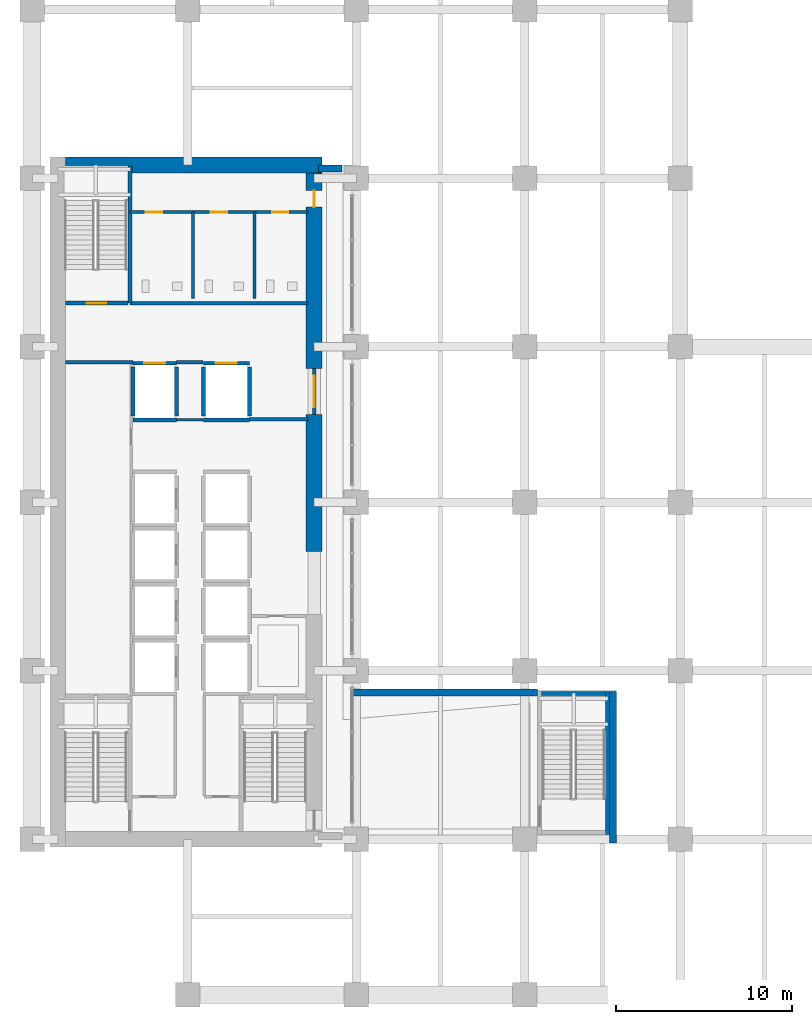
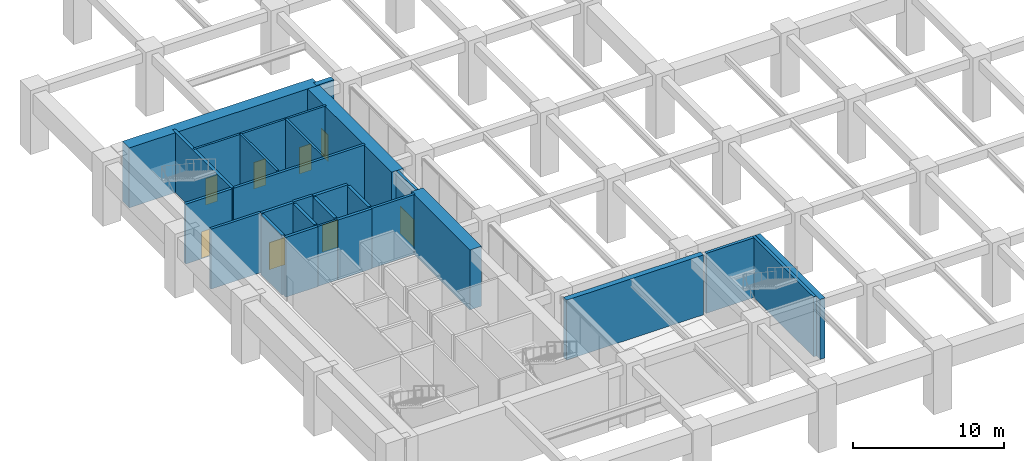
# One storey, part 6 of 22: 27 walls, 8 doors, 8 openings.
"""IFC4 building model written with IfcOpenShell, lengths in metres."""

from ifc_helpers import new_model, si_unit, direction, frame, frame_2d, origin, place, context, subcontext, project, spatial, rectangle, extrude, material, layer, layer_set, type_object, element, fill, save


model = new_model("IFC4")

# Units and contexts
model_context = context("Model", 3, precision=1e-05, world=origin(), true_north=direction((0.0, 1.0)))
body_context = subcontext(model_context, "Body", "Model", "MODEL_VIEW")
ifc_project = project(units=[si_unit("LENGTHUNIT", "METRE"), si_unit("AREAUNIT", "SQUARE_METRE"), si_unit("VOLUMEUNIT", "CUBIC_METRE"), si_unit("PLANEANGLEUNIT", "RADIAN"), si_unit("MASSUNIT", "GRAM", prefix="KILO")], contexts=[model_context])

# Site, building, storey
site_placement = place(None, origin())
site = spatial("IfcSite", under=ifc_project, at=site_placement, CompositionType="ELEMENT")
building_placement = place(site_placement, origin())
building = spatial("IfcBuilding", under=site, at=building_placement, Name="Norrvale University Quadrangle", CompositionType="ELEMENT")
storey_placement = place(building_placement, frame((0.0, 0.0, 5.199951171875)))
storey = spatial("IfcBuildingStorey", under=building, at=storey_placement, Name="L01", CompositionType="ELEMENT", Elevation=5.199951171875)

# Walls
ifc_material_1 = material(Name="Concrete C80/95", Category="concrete")
ifc_layer_1 = layer(ifc_material_1, 0.89990234375, Name="Concrete C80/95")
ifc_layer_set_1 = layer_set([ifc_layer_1], Name="Concrete C80/95")
wall_type_1 = type_object("IfcWallType", Name="Wall Core 900", PredefinedType="SHEAR", material=ifc_layer_set_1)
wall_1_placement = place(storey_placement, frame((2.64990234375, 48.0, 0.0), z_axis=(0.0, 0.0, 1.0), x_axis=(1.0, 0.0, 0.0)))
element("IfcWall", 1, at=wall_1_placement, inside=storey, type_object=wall_type_1, Name="Tower Core Shear Wall L01-N", PredefinedType="SHEAR", context=body_context, shape_type="SweptSolid", body=[
    extrude(rectangle(XDim=14.60009765625, YDim=0.89990234375, at=frame_2d((7.300048828125, 0.0))), origin(), (0.0, 0.0, 1.0), 4.860107421875),
])
wall_2_placement = place(storey_placement, frame((16.800048828125, 26.0, 0.0), z_axis=(0.0, 0.0, 1.0), x_axis=(0.0, 1.0, 0.0)))
element("IfcWall", 2, at=wall_2_placement, inside=storey, type_object=wall_type_1, Name="Tower Core Shear Wall L01-E2", PredefinedType="SHEAR", context=body_context, shape_type="SweptSolid", body=[
    extrude(rectangle(XDim=7.800048828125, YDim=0.89990234375, at=frame_2d((3.89990234375, 0.0))), origin(), (0.0, 0.0, 1.0), 4.860107421875),
])

# Wall, opening, door
wall_3_placement = place(storey_placement, frame((16.800048828125, 36.39990234375, 0.0), z_axis=(0.0, 0.0, 1.0), x_axis=(0.0, 1.0, 0.0)))
wall_3 = element("IfcWall", 3, at=wall_3_placement, inside=storey, type_object=wall_type_1, Name="Tower Core Shear Wall L01-E3", PredefinedType="SHEAR", context=body_context, shape_type="SweptSolid", body=[
    extrude(rectangle(XDim=11.150146484375, YDim=0.89990234375, at=frame_2d((5.5751953125, 0.0))), origin(), (0.0, 0.0, 1.0), 4.860107421875),
])
opening_1_placement = place(wall_3_placement, frame((9.199951171875, 0.0, 0.0)))
opening_1 = element("IfcOpeningElement", 4, at=opening_1_placement, cuts=wall_3, Name="Opening D07", PredefinedType="OPENING", context=body_context, shape_type="SweptSolid", body=[
    extrude(rectangle(XDim=0.949951171875, YDim=2.14990234375, at=frame_2d((0.47509765625, 1.074951171875))), frame((0.0, 0.4619140625, 0.0), z_axis=(0.0, -1.0, 0.0), x_axis=(1.0, 0.0, 0.0)), (0.0, 0.0, 1.0), 0.923828125),
])
ifc_material_2 = material(Name="Solid-Core Maple Door", Category="wood")
door_type_1 = type_object("IfcDoorType", Name="Door Office 950x2150", OperationType="NOTDEFINED", PredefinedType="DOOR", material=ifc_material_2)
door_1_placement = place(opening_1_placement, origin())
door_1 = element("IfcDoor", 5, at=door_1_placement, inside=storey, type_object=door_type_1, Name="Door Office 950x2150 DR-L01-NECORR", OperationType="SINGLE_SWING_RIGHT", OverallHeight=2.14990234375, OverallWidth=0.949951171875, PredefinedType="DOOR", context=body_context, shape_type="SweptSolid", body=[
    extrude(rectangle(XDim=0.949951171875, YDim=2.14990234375, at=frame_2d((0.47509765625, 1.074951171875))), frame((0.0, 0.02490234375, 0.0), z_axis=(0.0, -1.0, 0.0), x_axis=(1.0, 0.0, 0.0)), (0.0, 0.0, 1.0), 0.050048828125),
])
fill(opening_1, door_1)

# Wall
ifc_material_3 = material(Name="Fire-Rated Gypsum Stud Partition")
ifc_layer_2 = layer(ifc_material_3, 0.14990234375, Name="Fire-Rated Gypsum Stud Partition")
ifc_layer_set_2 = layer_set([ifc_layer_2], Name="Fire-Rated Gypsum Stud Partition")
wall_type_2 = type_object("IfcWallType", Name="Wall Gypsum Corridor 150", PredefinedType="PARTITIONING", material=ifc_layer_set_2)
wall_4_placement = place(storey_placement, frame((8.965087890625, 33.489990234375, 0.0), z_axis=(0.0, 0.0, 1.0), x_axis=(1.0, 0.0, 0.0)))
element("IfcWall", 6, at=wall_4_placement, inside=storey, type_object=wall_type_2, Name="Interior Partition WL-L01-LL3", PredefinedType="PARTITIONING", context=body_context, shape_type="SweptSolid", body=[
    extrude(rectangle(XDim=1.52001953125, YDim=0.14990234375, at=frame_2d((0.760009765625, 0.0))), origin(), (0.0, 0.0, 1.0), 4.860107421875),
])

# Wall, openings, doors
ifc_material_4 = material(Name="Sanitary Chase Gypsum Partition")
ifc_layer_3 = layer(ifc_material_4, 0.1650390625, Name="Sanitary Chase Gypsum Partition")
ifc_layer_set_3 = layer_set([ifc_layer_3], Name="Sanitary Chase Gypsum Partition")
wall_type_3 = type_object("IfcWallType", Name="Wall Gypsum Sanitary 165", PredefinedType="PLUMBINGWALL", material=ifc_layer_set_3)
wall_5_placement = place(storey_placement, frame((6.320068359375, 45.320068359375, 0.0), z_axis=(0.0, 0.0, 1.0), x_axis=(1.0, 0.0, 0.0)))
wall_5 = element("IfcWall", 7, at=wall_5_placement, inside=storey, type_object=wall_type_3, Name="Interior Partition WL-L01-WCN", PredefinedType="PLUMBINGWALL", context=body_context, shape_type="SweptSolid", body=[
    extrude(rectangle(XDim=10.1298828125, YDim=0.1650390625, at=frame_2d((5.06494140625, 0.0))), origin(), (0.0, 0.0, 1.0), 4.860107421875),
])
opening_2_placement = place(wall_5_placement, frame((0.89990234375, 0.0, 0.0)))
opening_2 = element("IfcOpeningElement", 8, at=opening_2_placement, cuts=wall_5, Name="Opening D08", PredefinedType="OPENING", context=body_context, shape_type="SweptSolid", body=[
    extrude(rectangle(XDim=0.919921875, YDim=2.14990234375, at=frame_2d((0.4599609375, 1.074951171875))), frame((0.0, 0.094482421875, 0.0), z_axis=(0.0, -1.0, 0.0), x_axis=(1.0, 0.0, 0.0)), (0.0, 0.0, 1.0), 0.18896484375),
])
opening_3_placement = place(wall_5_placement, frame((4.60009765625, 0.0, 0.0)))
opening_3 = element("IfcOpeningElement", 9, at=opening_3_placement, cuts=wall_5, Name="Opening D08", PredefinedType="OPENING", context=body_context, shape_type="SweptSolid", body=[
    extrude(rectangle(XDim=0.919921875, YDim=2.14990234375, at=frame_2d((0.4599609375, 1.074951171875))), frame((0.0, 0.094482421875, 0.0), z_axis=(0.0, -1.0, 0.0), x_axis=(1.0, 0.0, 0.0)), (0.0, 0.0, 1.0), 0.18896484375),
])
opening_4_placement = place(wall_5_placement, frame((8.10009765625, 0.0, 0.0)))
opening_4 = element("IfcOpeningElement", 10, at=opening_4_placement, cuts=wall_5, Name="Opening D08", PredefinedType="OPENING", context=body_context, shape_type="SweptSolid", body=[
    extrude(rectangle(XDim=0.919921875, YDim=2.14990234375, at=frame_2d((0.4599609375, 1.074951171875))), frame((0.0, 0.094482421875, 0.0), z_axis=(0.0, -1.0, 0.0), x_axis=(1.0, 0.0, 0.0)), (0.0, 0.0, 1.0), 0.18896484375),
])
ifc_material_5 = material(Name="Laminate Washroom Door", Category="wood")
door_type_2 = type_object("IfcDoorType", Name="Door Washroom 920x2150", OperationType="NOTDEFINED", PredefinedType="DOOR", material=ifc_material_5)
door_2_placement = place(opening_2_placement, origin())
door_2 = element("IfcDoor", 11, at=door_2_placement, inside=storey, type_object=door_type_2, Name="Door Washroom 920x2150 DR-L01-WC1", OperationType="SINGLE_SWING_LEFT", OverallHeight=2.14990234375, OverallWidth=0.919921875, PredefinedType="DOOR", context=body_context, shape_type="SweptSolid", body=[
    extrude(rectangle(XDim=0.919921875, YDim=2.14990234375, at=frame_2d((0.4599609375, 1.074951171875))), frame((0.0, 0.02490234375, 0.0), z_axis=(0.0, -1.0, 0.0), x_axis=(1.0, 0.0, 0.0)), (0.0, 0.0, 1.0), 0.050048828125),
])
fill(opening_2, door_2)
door_3_placement = place(opening_3_placement, origin())
door_3 = element("IfcDoor", 12, at=door_3_placement, inside=storey, type_object=door_type_2, Name="Door Washroom 920x2150 DR-L01-WC2", OperationType="SINGLE_SWING_RIGHT", OverallHeight=2.14990234375, OverallWidth=0.919921875, PredefinedType="DOOR", context=body_context, shape_type="SweptSolid", body=[
    extrude(rectangle(XDim=0.919921875, YDim=2.14990234375, at=frame_2d((0.4599609375, 1.074951171875))), frame((0.0, 0.02490234375, 0.0), z_axis=(0.0, -1.0, 0.0), x_axis=(1.0, 0.0, 0.0)), (0.0, 0.0, 1.0), 0.050048828125),
])
fill(opening_3, door_3)
door_4_placement = place(opening_4_placement, origin())
door_4 = element("IfcDoor", 13, at=door_4_placement, inside=storey, type_object=door_type_2, Name="Door Washroom 920x2150 DR-L01-WC3", OperationType="SINGLE_SWING_LEFT", OverallHeight=2.14990234375, OverallWidth=0.919921875, PredefinedType="DOOR", context=body_context, shape_type="SweptSolid", body=[
    extrude(rectangle(XDim=0.919921875, YDim=2.14990234375, at=frame_2d((0.4599609375, 1.074951171875))), frame((0.0, 0.02490234375, 0.0), z_axis=(0.0, -1.0, 0.0), x_axis=(1.0, 0.0, 0.0)), (0.0, 0.0, 1.0), 0.050048828125),
])
fill(opening_4, door_4)

# Walls
for number, where, z_axis, x_axis, name in (
    (14, (9.89990234375, 40.39990234375, 0.0), (0.0, 0.0, 1.0), (0.0, 1.0, 0.0), "Interior Partition WL-L01-WCM1"),
    (15, (13.39990234375, 40.39990234375, 0.0), (0.0, 0.0, 1.0), (0.0, 1.0, 0.0), "Interior Partition WL-L01-WCM2"),
):
    element("IfcWall", number, at=place(storey_placement, frame(where, z_axis=z_axis, x_axis=x_axis)), inside=storey, type_object=wall_type_3, Name=name, PredefinedType="PLUMBINGWALL", context=body_context, shape_type="SweptSolid", body=[
        extrude(rectangle(XDim=4.920166015625, YDim=0.1650390625, at=frame_2d((2.4599609375, 0.0))), origin(), (0.0, 0.0, 1.0), 4.860107421875),
    ])
ifc_material_6 = material(Name="Concrete Blockwork 20 MPa Rated Wall", Category="masonry")
ifc_layer_4 = layer(ifc_material_6, 0.199951171875, Name="Concrete Blockwork 20 MPa Rated Wall")
ifc_layer_set_4 = layer_set([ifc_layer_4], Name="Concrete Blockwork 20 MPa Rated Wall")
wall_type_4 = type_object("IfcWallType", Name="Wall Lobby 200", PredefinedType="SOLIDWALL", material=ifc_layer_set_4)
wall_6_placement = place(storey_placement, frame((2.64990234375, 36.780029296875, 0.0), z_axis=(0.0, 0.0, 1.0), x_axis=(1.0, 0.0, 0.0)))
element("IfcWall", 16, at=wall_6_placement, inside=storey, type_object=wall_type_4, Name="Interior Partition WL-L01-FF1", PredefinedType="SOLIDWALL", context=body_context, shape_type="SweptSolid", body=[
    extrude(rectangle(XDim=3.830078125, YDim=0.199951171875, at=frame_2d((1.9150390625, 0.0))), origin(), (0.0, 0.0, 1.0), 4.860107421875),
])
wall_7_placement = place(storey_placement, frame((8.969970703125, 36.780029296875, 0.0), z_axis=(0.0, 0.0, 1.0), x_axis=(1.0, 0.0, 0.0)))
element("IfcWall", 17, at=wall_7_placement, inside=storey, type_object=wall_type_4, Name="Interior Partition WL-L01-FF2", PredefinedType="SOLIDWALL", context=body_context, shape_type="SweptSolid", body=[
    extrude(rectangle(XDim=1.510009765625, YDim=0.199951171875, at=frame_2d((0.7548828125, 0.0))), origin(), (0.0, 0.0, 1.0), 4.860107421875),
])
wall_8_placement = place(storey_placement, frame((13.1201171875, 33.52001953125, 0.0), z_axis=(0.0, 0.0, 1.0), x_axis=(1.0, 0.0, 0.0)))
element("IfcWall", 18, at=wall_8_placement, inside=storey, type_object=wall_type_4, Name="Interior Partition WL-L01-FF3", PredefinedType="SOLIDWALL", context=body_context, shape_type="SweptSolid", body=[
    extrude(rectangle(XDim=3.329833984375, YDim=0.199951171875, at=frame_2d((1.6650390625, 0.0))), origin(), (0.0, 0.0, 1.0), 4.860107421875),
])
wall_9_placement = place(storey_placement, frame((6.320068359375, 40.139892578125, 0.0), z_axis=(0.0, 0.0, 1.0), x_axis=(1.0, 0.0, 0.0)))
element("IfcWall", 19, at=wall_9_placement, inside=storey, type_object=wall_type_4, Name="Interior Partition WL-L01-FF4", PredefinedType="SOLIDWALL", context=body_context, shape_type="SweptSolid", body=[
    extrude(rectangle(XDim=10.1298828125, YDim=0.199951171875, at=frame_2d((5.06494140625, 0.0))), origin(), (0.0, 0.0, 1.0), 4.860107421875),
])

# Wall, opening, door
wall_10_placement = place(storey_placement, frame((16.800048828125, 33.800048828125, 0.0), z_axis=(0.0, 0.0, 1.0), x_axis=(0.0, 1.0, 0.0)))
wall_10 = element("IfcWall", 20, at=wall_10_placement, inside=storey, type_object=wall_type_4, Name="Interior Partition WL-L01-FFP", PredefinedType="SOLIDWALL", context=body_context, shape_type="SweptSolid", body=[
    extrude(rectangle(XDim=2.599853515625, YDim=0.199951171875, at=frame_2d((1.2998046875, 0.0))), origin(), (0.0, 0.0, 1.0), 4.860107421875),
])
opening_5_placement = place(wall_10_placement, frame((0.39990234375, 0.0, 0.0)))
opening_5 = element("IfcOpeningElement", 21, at=opening_5_placement, cuts=wall_10, Name="Opening D03", PredefinedType="OPENING", context=body_context, shape_type="SweptSolid", body=[
    extrude(rectangle(XDim=1.800048828125, YDim=2.199951171875, at=frame_2d((0.89990234375, 1.10009765625))), frame((0.0, 0.112060546875, 0.0), z_axis=(0.0, -1.0, 0.0), x_axis=(1.0, 0.0, 0.0)), (0.0, 0.0, 1.0), 0.223876953125),
])
ifc_material_7 = material(Name="Hollow Steel 350W Fire Door", Category="steel")
door_type_3 = type_object("IfcDoorType", Name="Door Fire Lobby 1800x2200", OperationType="DOUBLE_DOOR_SINGLE_SWING", PredefinedType="DOOR", material=ifc_material_7)
door_5_placement = place(opening_5_placement, origin())
door_5 = element("IfcDoor", 22, at=door_5_placement, inside=storey, type_object=door_type_3, Name="Door Fire Lobby 1800x2200 DR-L01-FFP", OperationType="DOUBLE_DOOR_SINGLE_SWING", OverallHeight=2.199951171875, OverallWidth=1.800048828125, PredefinedType="DOOR", context=body_context, shape_type="SweptSolid", body=[
    extrude(rectangle(XDim=1.800048828125, YDim=2.199951171875, at=frame_2d((0.89990234375, 1.10009765625))), frame((0.0, 0.02490234375, 0.0), z_axis=(0.0, -1.0, 0.0), x_axis=(1.0, 0.0, 0.0)), (0.0, 0.0, 1.0), 0.050048828125),
])
fill(opening_5, door_5)

# Walls
ifc_material_8 = material(Name="Red Manganese Brick Masonry", Category="masonry")
ifc_layer_5 = layer(ifc_material_8, 0.39990234375, Name="Red Manganese Brick Masonry")
ifc_layer_set_5 = layer_set([ifc_layer_5], Name="Red Manganese Brick Masonry")
wall_type_5 = type_object("IfcWallType", Name="Wall Red Brick 400", PredefinedType="SOLIDWALL", material=ifc_layer_set_5)
wall_11_placement = place(storey_placement, frame((17.050048828125, 47.800048828125, 0.0), z_axis=(0.0, 0.0, 1.0), x_axis=(1.0, 0.0, 0.0)))
element("IfcWall", 23, at=wall_11_placement, inside=storey, type_object=wall_type_5, Name="Pilotis Lobby North End Wall L01", PredefinedType="SOLIDWALL", context=body_context, shape_type="SweptSolid", body=[
    extrude(rectangle(XDim=1.349853515625, YDim=0.39990234375, at=frame_2d((0.6748046875, 0.0))), origin(), (0.0, 0.0, 1.0), 4.860107421875),
])
wall_12_placement = place(storey_placement, frame((19.0, 17.949951171875, 0.0), z_axis=(0.0, 0.0, 1.0), x_axis=(1.0, 0.0, 0.0)))
element("IfcWall", 24, at=wall_12_placement, inside=storey, type_object=wall_type_5, Name="East Stair Mezzanine North Wall", PredefinedType="SOLIDWALL", context=body_context, shape_type="SweptSolid", body=[
    extrude(rectangle(XDim=10.52001953125, YDim=0.39990234375, at=frame_2d((5.260009765625, 0.0))), origin(), (0.0, 0.0, 1.0), 4.860107421875),
])
wall_13_placement = place(storey_placement, frame((33.824951171875, 9.39990234375, 0.0), z_axis=(0.0, 0.0, 1.0), x_axis=(0.0, 1.0, 0.0)))
element("IfcWall", 25, at=wall_13_placement, inside=storey, type_object=wall_type_5, Name="East Stair Mezzanine East Wall", PredefinedType="SOLIDWALL", context=body_context, shape_type="SweptSolid", body=[
    extrude(rectangle(XDim=8.6201171875, YDim=0.39990234375, at=frame_2d((4.31005859375, 0.0))), origin(), (0.0, 0.0, 1.0), 4.860107421875),
])

# Wall, opening, door
ifc_material_9 = material(Name="Concrete Blockwork 20 MPa Fire Shaft", Category="masonry")
ifc_layer_6 = layer(ifc_material_9, 0.219970703125, Name="Concrete Blockwork 20 MPa Fire Shaft")
ifc_layer_set_6 = layer_set([ifc_layer_6], Name="Concrete Blockwork 20 MPa Fire Shaft")
wall_type_6 = type_object("IfcWallType", Name="Wall Shaft 220", PredefinedType="SOLIDWALL", material=ifc_layer_set_6)
wall_14_placement = place(storey_placement, frame((2.64990234375, 40.139892578125, 0.0), z_axis=(0.0, 0.0, 1.0), x_axis=(1.0, 0.0, 0.0)))
wall_14 = element("IfcWall", 26, at=wall_14_placement, inside=storey, type_object=wall_type_6, Name="Stair ST-02 South Shaft Wall L01", PredefinedType="SOLIDWALL", context=body_context, shape_type="SweptSolid", body=[
    extrude(rectangle(XDim=3.550048828125, YDim=0.219970703125, at=frame_2d((1.77490234375, 0.0))), origin(), (0.0, 0.0, 1.0), 4.860107421875),
])
opening_6_placement = place(wall_14_placement, frame((1.199951171875, 0.0, 0.0)))
opening_6 = element("IfcOpeningElement", 27, at=opening_6_placement, cuts=wall_14, Name="Opening D02", PredefinedType="OPENING", context=body_context, shape_type="SweptSolid", body=[
    extrude(rectangle(XDim=1.10009765625, YDim=2.199951171875, at=frame_2d((0.550048828125, 1.10009765625))), frame((0.0, 0.1220703125, 0.0), z_axis=(0.0, -1.0, 0.0), x_axis=(1.0, 0.0, 0.0)), (0.0, 0.0, 1.0), 0.243896484375),
])
door_type_4 = type_object("IfcDoorType", Name="Door Stair Exit 1100x2200", OperationType="NOTDEFINED", PredefinedType="DOOR", material=ifc_material_7)
door_6_placement = place(opening_6_placement, origin())
door_6 = element("IfcDoor", 28, at=door_6_placement, inside=storey, type_object=door_type_4, Name="Door Stair Exit 1100x2200 DR-L01-ST02", OperationType="SINGLE_SWING_LEFT", OverallHeight=2.199951171875, OverallWidth=1.10009765625, PredefinedType="DOOR", context=body_context, shape_type="SweptSolid", body=[
    extrude(rectangle(XDim=1.10009765625, YDim=2.199951171875, at=frame_2d((0.550048828125, 1.10009765625))), frame((0.0, 0.02490234375, 0.0), z_axis=(0.0, -1.0, 0.0), x_axis=(1.0, 0.0, 0.0)), (0.0, 0.0, 1.0), 0.050048828125),
])
fill(opening_6, door_6)

# Walls
wall_15_placement = place(storey_placement, frame((6.31005859375, 40.139892578125, 0.0), z_axis=(0.0, 0.0, 1.0), x_axis=(0.0, 1.0, 0.0)))
element("IfcWall", 29, at=wall_15_placement, inside=storey, type_object=wall_type_6, Name="Stair ST-02 East Shaft Wall L01", PredefinedType="SOLIDWALL", context=body_context, shape_type="SweptSolid", body=[
    extrude(rectangle(XDim=7.81005859375, YDim=0.219970703125, at=frame_2d((3.905029296875, 0.0))), origin(), (0.0, 0.0, 1.0), 4.860107421875),
])
wall_16_placement = place(storey_placement, frame((33.510009765625, 9.8798828125, 0.0), z_axis=(0.0, 0.0, 1.0), x_axis=(0.0, 1.0, 0.0)))
element("IfcWall", 30, at=wall_16_placement, inside=storey, type_object=wall_type_6, Name="Stair ST-04 East Shaft Wall L01", PredefinedType="SOLIDWALL", context=body_context, shape_type="SweptSolid", body=[
    extrude(rectangle(XDim=8.14013671875, YDim=0.219970703125, at=frame_2d((4.070068359375, 0.0))), origin(), (0.0, 0.0, 1.0), 4.860107421875),
])
wall_17_placement = place(storey_placement, frame((29.75, 17.909912109375, 0.0), z_axis=(0.0, 0.0, 1.0), x_axis=(1.0, 0.0, 0.0)))
element("IfcWall", 31, at=wall_17_placement, inside=storey, type_object=wall_type_6, Name="Stair ST-04 North Shaft Wall L01", PredefinedType="SOLIDWALL", context=body_context, shape_type="SweptSolid", body=[
    extrude(rectangle(XDim=3.64990234375, YDim=0.219970703125, at=frame_2d((1.824951171875, 0.0))), origin(), (0.0, 0.0, 1.0), 4.860107421875),
])
for number, where, z_axis, x_axis, name in (
    (32, (6.489990234375, 33.7099609375, 0.0), (0.0, 0.0, 1.0), (0.0, 1.0, 0.0), "Hoistway FFL-01 West Wall L01"),
    (33, (8.9599609375, 33.7099609375, 0.0), (0.0, 0.0, 1.0), (0.0, 1.0, 0.0), "Hoistway FFL-01 East Wall L01"),
):
    element("IfcWall", number, at=place(storey_placement, frame(where, z_axis=z_axis, x_axis=x_axis)), inside=storey, type_object=wall_type_6, Name=name, PredefinedType="SOLIDWALL", context=body_context, shape_type="SweptSolid", body=[
        extrude(rectangle(XDim=2.780029296875, YDim=0.219970703125, at=frame_2d((1.39013671875, 0.0))), origin(), (0.0, 0.0, 1.0), 4.860107421875),
    ])
wall_18_placement = place(storey_placement, frame((6.489990234375, 33.489990234375, 0.0), z_axis=(0.0, 0.0, 1.0), x_axis=(1.0, 0.0, 0.0)))
element("IfcWall", 34, at=wall_18_placement, inside=storey, type_object=wall_type_6, Name="Hoistway FFL-01 South Wall L01", PredefinedType="SOLIDWALL", context=body_context, shape_type="SweptSolid", body=[
    extrude(rectangle(XDim=2.469970703125, YDim=0.219970703125, at=frame_2d((1.23486328125, 0.0))), origin(), (0.0, 0.0, 1.0), 4.860107421875),
])

# Wall, opening, door
wall_19_placement = place(storey_placement, frame((6.489990234375, 36.7099609375, 0.0), z_axis=(0.0, 0.0, 1.0), x_axis=(1.0, 0.0, 0.0)))
wall_19 = element("IfcWall", 35, at=wall_19_placement, inside=storey, type_object=wall_type_6, Name="Hoistway FFL-01 North Wall L01", PredefinedType="SOLIDWALL", context=body_context, shape_type="SweptSolid", body=[
    extrude(rectangle(XDim=2.469970703125, YDim=0.219970703125, at=frame_2d((1.23486328125, 0.0))), origin(), (0.0, 0.0, 1.0), 4.860107421875),
])
opening_7_placement = place(wall_19_placement, frame((0.635009765625, 0.0, 0.0)))
opening_7 = element("IfcOpeningElement", 36, at=opening_7_placement, cuts=wall_19, Name="Opening LD2", PredefinedType="OPENING", context=body_context, shape_type="SweptSolid", body=[
    extrude(rectangle(XDim=1.199951171875, YDim=2.199951171875, at=frame_2d((0.60009765625, 1.10009765625))), frame((0.0, 0.1220703125, 0.0), z_axis=(0.0, -1.0, 0.0), x_axis=(1.0, 0.0, 0.0)), (0.0, 0.0, 1.0), 0.243896484375),
])
ifc_material_10 = material(Name="Stainless Steel 316L Firefighter Lift Door", Category="steel")
door_type_5 = type_object("IfcDoorType", Name="Door Fire Lift 1200x2200", OperationType="DOUBLE_DOOR_SLIDING", PredefinedType="DOOR", material=ifc_material_10)
door_7_placement = place(opening_7_placement, origin())
door_7 = element("IfcDoor", 37, at=door_7_placement, inside=storey, type_object=door_type_5, Name="Elevator Landing Door DR-L01-FFL-01", OperationType="DOUBLE_DOOR_SLIDING", OverallHeight=2.199951171875, OverallWidth=1.199951171875, PredefinedType="DOOR", context=body_context, shape_type="SweptSolid", body=[
    extrude(rectangle(XDim=1.199951171875, YDim=2.199951171875, at=frame_2d((0.60009765625, 1.10009765625))), frame((0.0, 0.02490234375, 0.0), z_axis=(0.0, -1.0, 0.0), x_axis=(1.0, 0.0, 0.0)), (0.0, 0.0, 1.0), 0.050048828125),
])
fill(opening_7, door_7)

# Walls
for number, where, z_axis, x_axis, name in (
    (38, (10.489990234375, 33.7099609375, 0.0), (0.0, 0.0, 1.0), (0.0, 1.0, 0.0), "Hoistway FFL-02 West Wall L01"),
    (39, (13.110107421875, 33.7099609375, 0.0), (0.0, 0.0, 1.0), (0.0, 1.0, 0.0), "Hoistway FFL-02 East Wall L01"),
):
    element("IfcWall", number, at=place(storey_placement, frame(where, z_axis=z_axis, x_axis=x_axis)), inside=storey, type_object=wall_type_6, Name=name, PredefinedType="SOLIDWALL", context=body_context, shape_type="SweptSolid", body=[
        extrude(rectangle(XDim=2.780029296875, YDim=0.219970703125, at=frame_2d((1.39013671875, 0.0))), origin(), (0.0, 0.0, 1.0), 4.860107421875),
    ])
wall_20_placement = place(storey_placement, frame((10.489990234375, 33.489990234375, 0.0), z_axis=(0.0, 0.0, 1.0), x_axis=(1.0, 0.0, 0.0)))
element("IfcWall", 40, at=wall_20_placement, inside=storey, type_object=wall_type_6, Name="Hoistway FFL-02 South Wall L01", PredefinedType="SOLIDWALL", context=body_context, shape_type="SweptSolid", body=[
    extrude(rectangle(XDim=2.6201171875, YDim=0.219970703125, at=frame_2d((1.31005859375, 0.0))), origin(), (0.0, 0.0, 1.0), 4.860107421875),
])

# Wall, opening, door
wall_21_placement = place(storey_placement, frame((10.489990234375, 36.7099609375, 0.0), z_axis=(0.0, 0.0, 1.0), x_axis=(1.0, 0.0, 0.0)))
wall_21 = element("IfcWall", 41, at=wall_21_placement, inside=storey, type_object=wall_type_6, Name="Hoistway FFL-02 North Wall L01", PredefinedType="SOLIDWALL", context=body_context, shape_type="SweptSolid", body=[
    extrude(rectangle(XDim=2.6201171875, YDim=0.219970703125, at=frame_2d((1.31005859375, 0.0))), origin(), (0.0, 0.0, 1.0), 4.860107421875),
])
opening_8_placement = place(wall_21_placement, frame((0.7099609375, 0.0, 0.0)))
opening_8 = element("IfcOpeningElement", 42, at=opening_8_placement, cuts=wall_21, Name="Opening LD2", PredefinedType="OPENING", context=body_context, shape_type="SweptSolid", body=[
    extrude(rectangle(XDim=1.199951171875, YDim=2.199951171875, at=frame_2d((0.60009765625, 1.10009765625))), frame((0.0, 0.1220703125, 0.0), z_axis=(0.0, -1.0, 0.0), x_axis=(1.0, 0.0, 0.0)), (0.0, 0.0, 1.0), 0.243896484375),
])
door_8_placement = place(opening_8_placement, origin())
door_8 = element("IfcDoor", 43, at=door_8_placement, inside=storey, type_object=door_type_5, Name="Elevator Landing Door DR-L01-FFL-02", OperationType="DOUBLE_DOOR_SLIDING", OverallHeight=2.199951171875, OverallWidth=1.199951171875, PredefinedType="DOOR", context=body_context, shape_type="SweptSolid", body=[
    extrude(rectangle(XDim=1.199951171875, YDim=2.199951171875, at=frame_2d((0.60009765625, 1.10009765625))), frame((0.0, 0.02490234375, 0.0), z_axis=(0.0, -1.0, 0.0), x_axis=(1.0, 0.0, 0.0)), (0.0, 0.0, 1.0), 0.050048828125),
])
fill(opening_8, door_8)

save(model, "model.ifc")
